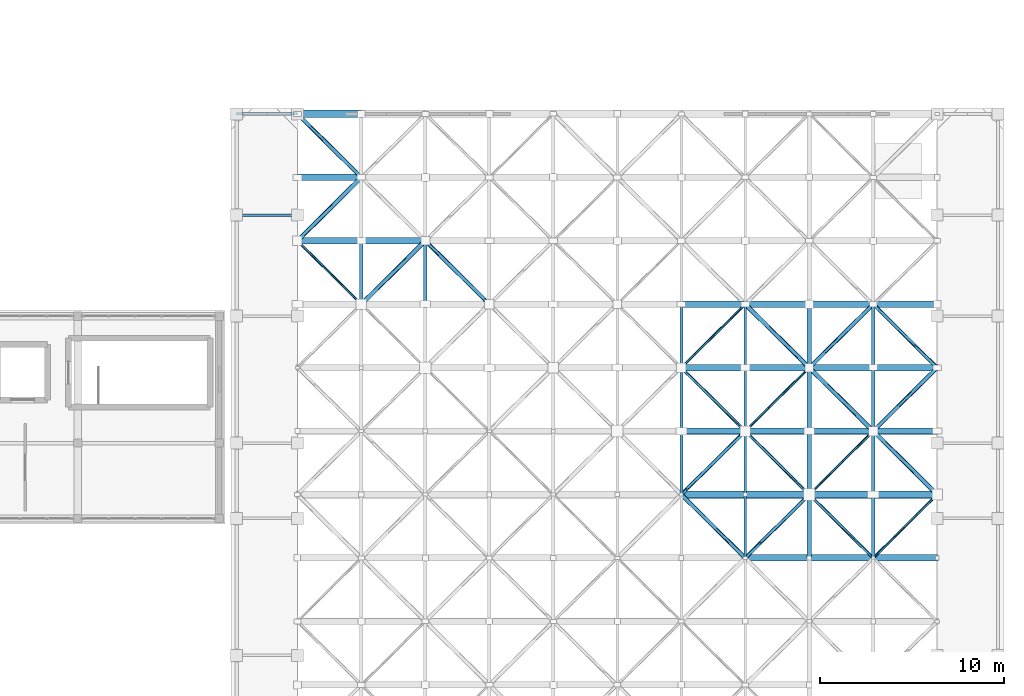
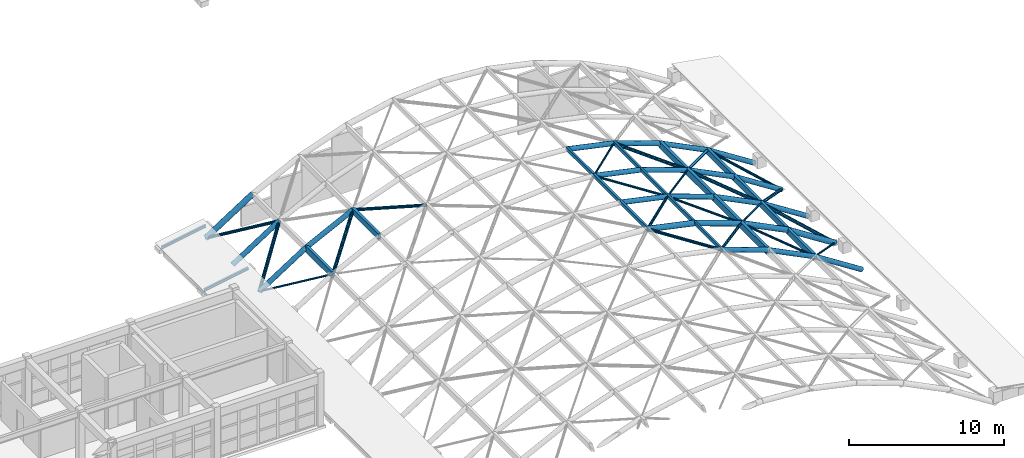
# One storey, part 23 of 52: 63 members.
"""IFC4 building model written with IfcOpenShell, lengths in metres."""

from ifc_helpers import new_model, si_unit, direction, frame, origin, origin_2d, place, context, subcontext, project, spatial, rectangle, hollow_circle, i_section, extrude, material, material_profile, profile_set, type_object, element, save


model = new_model("IFC4")

# Units and contexts
model_context = context("Model", 3, precision=1e-05, world=origin(), true_north=direction((0.0, 1.0)))
body_context = subcontext(model_context, "Body", "Model", "MODEL_VIEW")
ifc_project = project(units=[si_unit("LENGTHUNIT", "METRE"), si_unit("AREAUNIT", "SQUARE_METRE"), si_unit("VOLUMEUNIT", "CUBIC_METRE"), si_unit("PLANEANGLEUNIT", "RADIAN"), si_unit("MASSUNIT", "GRAM", prefix="KILO")], contexts=[model_context])

# Site, building, storey
site_placement = place(None, origin())
site = spatial("IfcSite", under=ifc_project, at=site_placement, CompositionType="ELEMENT")
building_placement = place(site_placement, origin())
building = spatial("IfcBuilding", under=site, at=building_placement, Name="Candilejo Ridge Gondola Terminal", CompositionType="ELEMENT")
storey_placement = place(building_placement, frame((0.0, 0.0, 18.60009765625)))
storey = spatial("IfcBuildingStorey", under=building, at=storey_placement, Name="L04", CompositionType="ELEMENT", Elevation=18.60009765625)

# Members
ifc_material_1 = material(Name="Steel ASTM A500 Grade C", Category="steel")
ifc_material_profile_1 = material_profile(ifc_material_1, hollow_circle(Radius=0.06982421875, WallThickness=0.00634765625, at=origin_2d()))
ifc_profile_set_1 = profile_set([ifc_material_profile_1], Name="Steel ASTM A500 Grade C")
member_type_1 = type_object("IfcMemberType", Name="STR-BRC-CHS140", PredefinedType="BRACE", material=ifc_profile_set_1)
member_1_placement = place(storey_placement, frame((168.52001953125, 23.550048828125, 2.031982421875), z_axis=(0.646271368564, 0.640694591636, -0.414540418323), x_axis=(-0.704036083414, 0.710164201612, 0.0)))
element("IfcMember", 1, at=member_1_placement, inside=storey, type_object=member_type_1, Name="Barrel diagrid diagonal 06-10", PredefinedType="BRACE", context=body_context, shape_type="SweptSolid", body=[
    extrude(hollow_circle(Radius=0.06982421875, WallThickness=0.00634765625, at=origin_2d()), origin(), (0.0, 0.0, 1.0), 5.384765625),
])
member_2_placement = place(storey_placement, frame((165.0400390625, 27.0, 3.767822265625), z_axis=(0.669405688246, 0.663629281647, -0.333904478983), x_axis=(-0.704036083414, 0.710164201612, 0.0)))
element("IfcMember", 2, at=member_2_placement, inside=storey, type_object=member_type_1, Name="Barrel diagrid diagonal 07-09", PredefinedType="BRACE", context=body_context, shape_type="SweptSolid", body=[
    extrude(hollow_circle(Radius=0.06982421875, WallThickness=0.00634765625, at=origin_2d()), origin(), (0.0, 0.0, 1.0), 5.19873046875),
])
member_3_placement = place(storey_placement, frame((161.56005859375, 30.449951171875, 5.0078125), z_axis=(0.688464148289, 0.682523283252, -0.24531425629), x_axis=(-0.704036083414, 0.710164201612, 0.0)))
element("IfcMember", 3, at=member_3_placement, inside=storey, type_object=member_type_1, Name="Barrel diagrid diagonal 08-08", PredefinedType="BRACE", context=body_context, shape_type="SweptSolid", body=[
    extrude(hollow_circle(Radius=0.06982421875, WallThickness=0.00634765625, at=origin_2d()), origin(), (0.0, 0.0, 1.0), 5.0546875),
])
member_4_placement = place(storey_placement, frame((158.080078125, 33.89990234375, 5.751953125), z_axis=(0.702090616131, 0.696081421858, -0.150131345445), x_axis=(-0.70406120903, 0.710139291927, 0.0)))
element("IfcMember", 4, at=member_4_placement, inside=storey, type_object=member_type_1, Name="Barrel diagrid diagonal 09-07", PredefinedType="BRACE", context=body_context, shape_type="SweptSolid", body=[
    extrude(hollow_circle(Radius=0.06982421875, WallThickness=0.00634765625, at=origin_2d()), origin(), (0.0, 0.0, 1.0), 4.95654296875),
])
member_5_placement = place(storey_placement, frame((140.679931640625, 37.35009765625, 2.031982421875), z_axis=(-0.646271368564, 0.640694591636, -0.414540418323), x_axis=(-0.704036083414, -0.710164201612, 0.0)))
element("IfcMember", 5, at=member_5_placement, inside=storey, type_object=member_type_1, Name="Barrel diagrid diagonal 10-01", PredefinedType="BRACE", context=body_context, shape_type="SweptSolid", body=[
    extrude(hollow_circle(Radius=0.06982421875, WallThickness=0.00634765625, at=origin_2d()), origin(), (0.0, 0.0, 1.0), 5.384765625),
])
ifc_material_2 = material(Name="Steel ASTM A500 Grade C", Category="steel")
ifc_material_profile_2 = material_profile(ifc_material_2, hollow_circle(Radius=0.084228515625, WallThickness=0.007080078125, at=origin_2d()))
ifc_profile_set_2 = profile_set([ifc_material_profile_2], Name="Steel ASTM A500 Grade C")
member_type_2 = type_object("IfcMemberType", Name="STR-BRC-CHS168", PredefinedType="BRACE", material=ifc_profile_set_2)
member_6_placement = place(storey_placement, frame((168.52001953125, 23.550048828125, 2.031982421875), z_axis=(-0.669405688246, 0.663629281647, 0.333904478983), x_axis=(-0.704036083414, -0.710164201612, 0.0)))
element("IfcMember", 6, at=member_6_placement, inside=storey, type_object=member_type_2, Name="Barrel diagrid diagonal 06-09", PredefinedType="BRACE", context=body_context, shape_type="SweptSolid", body=[
    extrude(hollow_circle(Radius=0.084228515625, WallThickness=0.007080078125, at=origin_2d()), origin(), (0.0, 0.0, 1.0), 5.19873046875),
])
member_7_placement = place(storey_placement, frame((165.0400390625, 27.0, 3.767822265625), z_axis=(-0.688464148289, 0.682523283252, 0.24531425629), x_axis=(-0.704036083414, -0.710164201612, 0.0)))
element("IfcMember", 7, at=member_7_placement, inside=storey, type_object=member_type_2, Name="Barrel diagrid diagonal 07-08", PredefinedType="BRACE", context=body_context, shape_type="SweptSolid", body=[
    extrude(hollow_circle(Radius=0.084228515625, WallThickness=0.007080078125, at=origin_2d()), origin(), (0.0, 0.0, 1.0), 5.0546875),
])
member_8_placement = place(storey_placement, frame((161.56005859375, 30.449951171875, 5.0078125), z_axis=(-0.702114688376, 0.696056030689, 0.150136492926), x_axis=(-0.704036083414, -0.710164201612, 0.0)))
element("IfcMember", 8, at=member_8_placement, inside=storey, type_object=member_type_2, Name="Barrel diagrid diagonal 08-07", PredefinedType="BRACE", context=body_context, shape_type="SweptSolid", body=[
    extrude(hollow_circle(Radius=0.084228515625, WallThickness=0.007080078125, at=origin_2d()), origin(), (0.0, 0.0, 1.0), 4.95654296875),
])
ifc_material_3 = material(Name="Steel ASTM A500 Grade C", Category="steel")
ifc_material_profile_3 = material_profile(ifc_material_3, hollow_circle(Radius=0.096923828125, WallThickness=0.0078125, at=origin_2d()))
ifc_profile_set_3 = profile_set([ifc_material_profile_3], Name="Steel ASTM A500 Grade C")
member_type_3 = type_object("IfcMemberType", Name="STR-BRC-CHS193", PredefinedType="BRACE", material=ifc_profile_set_3)
member_9_placement = place(storey_placement, frame((161.56005859375, 23.550048828125, 5.0078125), z_axis=(0.688464148289, 0.682523283252, -0.24531425629), x_axis=(-0.704036083414, 0.710164201612, 0.0)))
element("IfcMember", 9, at=member_9_placement, inside=storey, type_object=member_type_3, Name="Barrel diagrid diagonal 06-08", PredefinedType="BRACE", context=body_context, shape_type="SweptSolid", body=[
    extrude(hollow_circle(Radius=0.096923828125, WallThickness=0.0078125, at=origin_2d()), origin(), (0.0, 0.0, 1.0), 5.0546875),
])
member_10_placement = place(storey_placement, frame((158.080078125, 27.0, 5.751953125), z_axis=(0.702114688376, 0.696056030689, -0.150136492926), x_axis=(-0.704036083414, 0.710164201612, 0.0)))
element("IfcMember", 10, at=member_10_placement, inside=storey, type_object=member_type_3, Name="Barrel diagrid diagonal 07-07", PredefinedType="BRACE", context=body_context, shape_type="SweptSolid", body=[
    extrude(hollow_circle(Radius=0.096923828125, WallThickness=0.0078125, at=origin_2d()), origin(), (0.0, 0.0, 1.0), 4.95654296875),
])
member_11_placement = place(storey_placement, frame((172.0, 33.89990234375, -0.2001953125), z_axis=(-0.646252595266, 0.640721318668, 0.414528376492), x_axis=(-0.70406120903, -0.710139291927, 0.0)))
element("IfcMember", 11, at=member_11_placement, inside=storey, type_object=member_type_3, Name="Barrel diagrid diagonal 09-10", PredefinedType="BRACE", context=body_context, shape_type="SweptSolid", body=[
    extrude(hollow_circle(Radius=0.096923828125, WallThickness=0.0078125, at=origin_2d()), origin(), (0.0, 0.0, 1.0), 5.384765625),
])
ifc_material_4 = material(Name="Steel ASTM A500 Grade C", Category="steel")
ifc_material_profile_4 = material_profile(ifc_material_4, hollow_circle(Radius=0.109619140625, WallThickness=0.00830078125, at=origin_2d()))
ifc_profile_set_4 = profile_set([ifc_material_profile_4], Name="Steel ASTM A500 Grade C")
member_type_4 = type_object("IfcMemberType", Name="STR-BRC-CHS219", PredefinedType="BRACE", material=ifc_profile_set_4)
member_12_placement = place(storey_placement, frame((161.56005859375, 23.550048828125, 5.0078125), z_axis=(-0.702114688376, 0.696056030689, 0.150136492926), x_axis=(-0.704036083414, -0.710164201612, 0.0)))
element("IfcMember", 12, at=member_12_placement, inside=storey, type_object=member_type_4, Name="Barrel diagrid diagonal 06-07", PredefinedType="BRACE", context=body_context, shape_type="SweptSolid", body=[
    extrude(hollow_circle(Radius=0.109619140625, WallThickness=0.00830078125, at=origin_2d()), origin(), (0.0, 0.0, 1.0), 4.95654296875),
])
member_13_placement = place(storey_placement, frame((168.52001953125, 30.449951171875, 2.031982421875), z_axis=(0.646271368564, 0.640694591636, -0.414540418323), x_axis=(-0.704036083414, 0.710164201612, 0.0)))
element("IfcMember", 13, at=member_13_placement, inside=storey, type_object=member_type_4, Name="Barrel diagrid diagonal 08-10", PredefinedType="BRACE", context=body_context, shape_type="SweptSolid", body=[
    extrude(hollow_circle(Radius=0.109619140625, WallThickness=0.00830078125, at=origin_2d()), origin(), (0.0, 0.0, 1.0), 5.384765625),
])
member_14_placement = place(storey_placement, frame((165.0400390625, 33.89990234375, 3.767822265625), z_axis=(0.669384825923, 0.663655560541, -0.333894072704), x_axis=(-0.70406120903, 0.710139291927, 0.0)))
element("IfcMember", 14, at=member_14_placement, inside=storey, type_object=member_type_4, Name="Barrel diagrid diagonal 09-09", PredefinedType="BRACE", context=body_context, shape_type="SweptSolid", body=[
    extrude(hollow_circle(Radius=0.109619140625, WallThickness=0.00830078125, at=origin_2d()), origin(), (0.0, 0.0, 1.0), 5.19873046875),
])
member_15_placement = place(storey_placement, frame((147.639892578125, 37.35009765625, 5.0078125), z_axis=(-0.688464148289, 0.682523283252, -0.24531425629), x_axis=(-0.704036083414, -0.710164201612, 0.0)))
element("IfcMember", 15, at=member_15_placement, inside=storey, type_object=member_type_4, Name="Barrel diagrid diagonal 10-03", PredefinedType="BRACE", context=body_context, shape_type="SweptSolid", body=[
    extrude(hollow_circle(Radius=0.109619140625, WallThickness=0.00830078125, at=origin_2d()), origin(), (0.0, 0.0, 1.0), 5.0546875),
])
member_16_placement = place(storey_placement, frame((140.679931640625, 44.25, 2.031982421875), z_axis=(-0.646271368564, 0.640694591636, -0.414540418323), x_axis=(-0.704036083414, -0.710164201612, 0.0)))
element("IfcMember", 16, at=member_16_placement, inside=storey, type_object=member_type_4, Name="Barrel diagrid diagonal 12-01", PredefinedType="BRACE", context=body_context, shape_type="SweptSolid", body=[
    extrude(hollow_circle(Radius=0.109619140625, WallThickness=0.00830078125, at=origin_2d()), origin(), (0.0, 0.0, 1.0), 5.384765625),
])
ifc_material_5 = material(Name="Steel ASTM A500 Grade C", Category="steel")
ifc_material_profile_5 = material_profile(ifc_material_5, hollow_circle(Radius=0.122314453125, WallThickness=0.0087890625, at=origin_2d()))
ifc_profile_set_5 = profile_set([ifc_material_profile_5], Name="Steel ASTM A500 Grade C")
member_type_5 = type_object("IfcMemberType", Name="STR-BRC-CHS244", PredefinedType="BRACE", material=ifc_profile_set_5)
member_17_placement = place(storey_placement, frame((172.0, 27.0, -0.2001953125), z_axis=(-0.646271368564, 0.640694591636, 0.414540418323), x_axis=(-0.704036083414, -0.710164201612, 0.0)))
element("IfcMember", 17, at=member_17_placement, inside=storey, type_object=member_type_5, Name="Barrel diagrid diagonal 07-10", PredefinedType="BRACE", context=body_context, shape_type="SweptSolid", body=[
    extrude(hollow_circle(Radius=0.122314453125, WallThickness=0.0087890625, at=origin_2d()), origin(), (0.0, 0.0, 1.0), 5.384765625),
])
member_18_placement = place(storey_placement, frame((168.52001953125, 30.449951171875, 2.031982421875), z_axis=(-0.669405688246, 0.663629281647, 0.333904478983), x_axis=(-0.704036083414, -0.710164201612, 0.0)))
element("IfcMember", 18, at=member_18_placement, inside=storey, type_object=member_type_5, Name="Barrel diagrid diagonal 08-09", PredefinedType="BRACE", context=body_context, shape_type="SweptSolid", body=[
    extrude(hollow_circle(Radius=0.122314453125, WallThickness=0.0087890625, at=origin_2d()), origin(), (0.0, 0.0, 1.0), 5.19873046875),
])
member_19_placement = place(storey_placement, frame((165.0400390625, 33.89990234375, 3.767822265625), z_axis=(-0.688441452919, 0.682549081848, 0.245306169453), x_axis=(-0.70406120903, -0.710139291927, 0.0)))
element("IfcMember", 19, at=member_19_placement, inside=storey, type_object=member_type_5, Name="Barrel diagrid diagonal 09-08", PredefinedType="BRACE", context=body_context, shape_type="SweptSolid", body=[
    extrude(hollow_circle(Radius=0.122314453125, WallThickness=0.0087890625, at=origin_2d()), origin(), (0.0, 0.0, 1.0), 5.054931640625),
])
member_20_placement = place(storey_placement, frame((140.679931640625, 37.35009765625, 2.031982421875), z_axis=(0.669405688246, 0.663629281647, 0.333904478983), x_axis=(-0.704036083414, 0.710164201612, 0.0)))
element("IfcMember", 20, at=member_20_placement, inside=storey, type_object=member_type_5, Name="Barrel diagrid diagonal 10-02", PredefinedType="BRACE", context=body_context, shape_type="SweptSolid", body=[
    extrude(hollow_circle(Radius=0.122314453125, WallThickness=0.0087890625, at=origin_2d()), origin(), (0.0, 0.0, 1.0), 5.19873046875),
])
member_21_placement = place(storey_placement, frame((137.199951171875, 40.800048828125, -0.2001953125), z_axis=(0.646271368564, 0.640694591636, 0.414540418323), x_axis=(-0.704036083414, 0.710164201612, 0.0)))
element("IfcMember", 21, at=member_21_placement, inside=storey, type_object=member_type_5, Name="Barrel diagrid diagonal 11-01", PredefinedType="BRACE", context=body_context, shape_type="SweptSolid", body=[
    extrude(hollow_circle(Radius=0.122314453125, WallThickness=0.0087890625, at=origin_2d()), origin(), (0.0, 0.0, 1.0), 5.384765625),
])
ifc_material_6 = material(Name="Glulam GL28h", Category="wood")
ifc_material_profile_6 = material_profile(ifc_material_6, rectangle(XDim=0.139892578125, YDim=0.280029296875, at=origin_2d()))
ifc_profile_set_6 = profile_set([ifc_material_profile_6], Name="Glulam GL28h")
member_type_6 = type_object("IfcMemberType", Name="STR-PUR-GL140X280", PredefinedType="PURLIN", material=ifc_profile_set_6)
for number, where, z_axis, x_axis, name in (
    (22, (161.56005859375, 23.550048828125, 5.06787109375), (0.0, 1.0, 0.0), (-1.0, 0.0, 0.0), "Glulam roof purlin 06-07"),
    (23, (161.56005859375, 27.0, 5.06787109375), (0.0, 1.0, 0.0), (-1.0, 0.0, 0.0), "Glulam roof purlin 07-07"),
    (24, (161.56005859375, 30.449951171875, 5.06787109375), (0.0, 1.0, 0.0), (-1.0, 0.0, 0.0), "Glulam roof purlin 08-07"),
):
    element("IfcMember", number, at=place(storey_placement, frame(where, z_axis=z_axis, x_axis=x_axis)), inside=storey, type_object=member_type_6, Name=name, PredefinedType="PURLIN", context=body_context, shape_type="SweptSolid", body=[
        extrude(rectangle(XDim=0.139892578125, YDim=0.280029296875, at=origin_2d()), origin(), (0.0, 0.0, 1.0), 3.449951171875),
    ])
member_22_placement = place(storey_placement, frame((161.56005859375, 33.89990234375, 5.06787109375), z_axis=(0.0, 1.0, 0.0), x_axis=(-1.0, 0.0, 0.0)))
element("IfcMember", 25, at=member_22_placement, inside=storey, type_object=member_type_6, Name="Glulam roof purlin 09-07", PredefinedType="PURLIN", context=body_context, shape_type="SweptSolid", body=[
    extrude(rectangle(XDim=0.139892578125, YDim=0.280029296875, at=origin_2d()), origin(), (0.0, 0.0, 1.0), 3.4501953125),
])
ifc_material_7 = material(Name="Glulam GL28h", Category="wood")
ifc_material_profile_7 = material_profile(ifc_material_7, rectangle(XDim=0.159912109375, YDim=0.280029296875, at=origin_2d()))
ifc_profile_set_7 = profile_set([ifc_material_profile_7], Name="Glulam GL28h")
member_type_7 = type_object("IfcMemberType", Name="STR-PUR-GL160X280", PredefinedType="PURLIN", material=ifc_profile_set_7)
for number, where, z_axis, x_axis, name in (
    (26, (158.080078125, 27.0, 5.81201171875), (0.0, 1.0, 0.0), (-1.0, 0.0, 0.0), "Glulam roof purlin 07-06"),
    (27, (158.080078125, 30.449951171875, 5.81201171875), (0.0, 1.0, 0.0), (-1.0, 0.0, 0.0), "Glulam roof purlin 08-06"),
):
    element("IfcMember", number, at=place(storey_placement, frame(where, z_axis=z_axis, x_axis=x_axis)), inside=storey, type_object=member_type_7, Name=name, PredefinedType="PURLIN", context=body_context, shape_type="SweptSolid", body=[
        extrude(rectangle(XDim=0.159912109375, YDim=0.280029296875, at=origin_2d()), origin(), (0.0, 0.0, 1.0), 3.449951171875),
    ])
member_23_placement = place(storey_placement, frame((158.080078125, 33.89990234375, 5.81201171875), z_axis=(0.0, 1.0, 0.0), x_axis=(-1.0, 0.0, 0.0)))
element("IfcMember", 28, at=member_23_placement, inside=storey, type_object=member_type_7, Name="Glulam roof purlin 09-06", PredefinedType="PURLIN", context=body_context, shape_type="SweptSolid", body=[
    extrude(rectangle(XDim=0.159912109375, YDim=0.280029296875, at=origin_2d()), origin(), (0.0, 0.0, 1.0), 3.4501953125),
])
ifc_material_8 = material(Name="Glulam GL28h", Category="wood")
ifc_material_profile_8 = material_profile(ifc_material_8, rectangle(XDim=0.199951171875, YDim=0.43994140625, at=origin_2d()))
ifc_profile_set_8 = profile_set([ifc_material_profile_8], Name="Glulam GL28h")
member_type_8 = type_object("IfcMemberType", Name="STR-PUR-GL200X440", PredefinedType="PURLIN", material=ifc_profile_set_8)
member_24_placement = place(storey_placement, frame((144.159912109375, 37.35009765625, 3.747802734375), z_axis=(0.0, 1.0, 0.0), x_axis=(-1.0, 0.0, 0.0)))
element("IfcMember", 29, at=member_24_placement, inside=storey, type_object=member_type_8, Name="Glulam roof purlin 10-02", PredefinedType="PURLIN", context=body_context, shape_type="SweptSolid", body=[
    extrude(rectangle(XDim=0.199951171875, YDim=0.43994140625, at=origin_2d()), origin(), (0.0, 0.0, 1.0), 3.449951171875),
])
ifc_material_9 = material(Name="Glulam GL28h", Category="wood")
ifc_material_profile_9 = material_profile(ifc_material_9, rectangle(XDim=0.199951171875, YDim=0.47998046875, at=origin_2d()))
ifc_profile_set_9 = profile_set([ifc_material_profile_9], Name="Glulam GL28h")
member_type_9 = type_object("IfcMemberType", Name="STR-PUR-GL200X480", PredefinedType="PURLIN", material=ifc_profile_set_9)
for number, where, z_axis, x_axis, name in (
    (30, (168.52001953125, 23.550048828125, 1.991943359375), (0.0, 1.0, 0.0), (-1.0, 0.0, 0.0), "Glulam roof purlin 06-09"),
    (31, (168.52001953125, 27.0, 1.991943359375), (0.0, 1.0, 0.0), (-1.0, 0.0, 0.0), "Glulam roof purlin 07-09"),
    (32, (168.52001953125, 30.449951171875, 1.991943359375), (0.0, 1.0, 0.0), (-1.0, 0.0, 0.0), "Glulam roof purlin 08-09"),
):
    element("IfcMember", number, at=place(storey_placement, frame(where, z_axis=z_axis, x_axis=x_axis)), inside=storey, type_object=member_type_9, Name=name, PredefinedType="PURLIN", context=body_context, shape_type="SweptSolid", body=[
        extrude(rectangle(XDim=0.199951171875, YDim=0.47998046875, at=origin_2d()), origin(), (0.0, 0.0, 1.0), 3.449951171875),
    ])
member_25_placement = place(storey_placement, frame((168.52001953125, 33.89990234375, 1.991943359375), z_axis=(0.0, 1.0, 0.0), x_axis=(-1.0, 0.0, 0.0)))
element("IfcMember", 33, at=member_25_placement, inside=storey, type_object=member_type_9, Name="Glulam roof purlin 09-09", PredefinedType="PURLIN", context=body_context, shape_type="SweptSolid", body=[
    extrude(rectangle(XDim=0.199951171875, YDim=0.47998046875, at=origin_2d()), origin(), (0.0, 0.0, 1.0), 3.4501953125),
])
member_26_placement = place(storey_placement, frame((140.679931640625, 37.35009765625, 1.991943359375), z_axis=(0.0, 1.0, 0.0), x_axis=(-1.0, 0.0, 0.0)))
element("IfcMember", 34, at=member_26_placement, inside=storey, type_object=member_type_9, Name="Glulam roof purlin 10-01", PredefinedType="PURLIN", context=body_context, shape_type="SweptSolid", body=[
    extrude(rectangle(XDim=0.199951171875, YDim=0.47998046875, at=origin_2d()), origin(), (0.0, 0.0, 1.0), 3.449951171875),
])
ifc_material_10 = material(Name="Glulam GL28h", Category="wood")
ifc_material_profile_10 = material_profile(ifc_material_10, rectangle(XDim=0.219970703125, YDim=0.52001953125, at=origin_2d()))
ifc_profile_set_10 = profile_set([ifc_material_profile_10], Name="Glulam GL28h")
member_type_10 = type_object("IfcMemberType", Name="STR-PUR-GL220X520", PredefinedType="PURLIN", material=ifc_profile_set_10)
for number, where, z_axis, x_axis, name in (
    (35, (165.0400390625, 23.550048828125, 3.7080078125), (0.0, 1.0, 0.0), (-1.0, 0.0, 0.0), "Glulam roof purlin 06-08"),
    (36, (165.0400390625, 27.0, 3.7080078125), (0.0, 1.0, 0.0), (-1.0, 0.0, 0.0), "Glulam roof purlin 07-08"),
    (37, (165.0400390625, 30.449951171875, 3.7080078125), (0.0, 1.0, 0.0), (-1.0, 0.0, 0.0), "Glulam roof purlin 08-08"),
):
    element("IfcMember", number, at=place(storey_placement, frame(where, z_axis=z_axis, x_axis=x_axis)), inside=storey, type_object=member_type_10, Name=name, PredefinedType="PURLIN", context=body_context, shape_type="SweptSolid", body=[
        extrude(rectangle(XDim=0.219970703125, YDim=0.52001953125, at=origin_2d()), origin(), (0.0, 0.0, 1.0), 3.449951171875),
    ])
member_27_placement = place(storey_placement, frame((165.0400390625, 33.89990234375, 3.7080078125), z_axis=(0.0, 1.0, 0.0), x_axis=(-1.0, 0.0, 0.0)))
element("IfcMember", 38, at=member_27_placement, inside=storey, type_object=member_type_10, Name="Glulam roof purlin 09-08", PredefinedType="PURLIN", context=body_context, shape_type="SweptSolid", body=[
    extrude(rectangle(XDim=0.219970703125, YDim=0.52001953125, at=origin_2d()), origin(), (0.0, 0.0, 1.0), 3.4501953125),
])
ifc_material_11 = material(Name="Steel ASTM A500 Grade C", Category="steel")
ifc_material_profile_11 = material_profile(ifc_material_11, hollow_circle(Radius=0.177734375, WallThickness=0.0126953125, at=origin_2d()))
ifc_profile_set_11 = profile_set([ifc_material_profile_11], Name="Steel ASTM A500 Grade C")
member_type_11 = type_object("IfcMemberType", Name="STR-RAF-CHS356", PredefinedType="RAFTER", material=ifc_profile_set_11)
member_28_placement = place(storey_placement, frame((161.56005859375, 23.550048828125, 5.0078125), z_axis=(0.94198686652, 0.0, -0.335649733061), x_axis=(0.0, 1.0, 0.0)))
element("IfcMember", 39, at=member_28_placement, inside=storey, type_object=member_type_11, Name="Barrel diagrid arch rafter F06-08", PredefinedType="RAFTER", context=body_context, shape_type="SweptSolid", body=[
    extrude(hollow_circle(Radius=0.177734375, WallThickness=0.0126953125, at=origin_2d()), origin(), (0.0, 0.0, 1.0), 3.6943359375),
])
member_29_placement = place(storey_placement, frame((165.0400390625, 23.550048828125, 3.767822265625), z_axis=(0.894853681561, 0.0, -0.446359595615), x_axis=(0.0, 1.0, 0.0)))
element("IfcMember", 40, at=member_29_placement, inside=storey, type_object=member_type_11, Name="Barrel diagrid arch rafter F06-09", PredefinedType="RAFTER", context=body_context, shape_type="SweptSolid", body=[
    extrude(hollow_circle(Radius=0.177734375, WallThickness=0.0126953125, at=origin_2d()), origin(), (0.0, 0.0, 1.0), 3.888916015625),
])
member_30_placement = place(storey_placement, frame((168.52001953125, 23.550048828125, 2.031982421875), z_axis=(0.841722944164, 0.0, -0.539909701031), x_axis=(0.0, 1.0, 0.0)))
element("IfcMember", 41, at=member_30_placement, inside=storey, type_object=member_type_11, Name="Barrel diagrid arch rafter F06-10", PredefinedType="RAFTER", context=body_context, shape_type="SweptSolid", body=[
    extrude(hollow_circle(Radius=0.177734375, WallThickness=0.0126953125, at=origin_2d()), origin(), (0.0, 0.0, 1.0), 4.13427734375),
])
member_31_placement = place(storey_placement, frame((158.080078125, 30.449951171875, 5.751953125), z_axis=(0.977892680686, 0.0, -0.209107400781), x_axis=(0.0, 1.0, 0.0)))
element("IfcMember", 42, at=member_31_placement, inside=storey, type_object=member_type_11, Name="Barrel diagrid arch rafter F08-07", PredefinedType="RAFTER", context=body_context, shape_type="SweptSolid", body=[
    extrude(hollow_circle(Radius=0.177734375, WallThickness=0.0126953125, at=origin_2d()), origin(), (0.0, 0.0, 1.0), 3.55859375),
])
member_32_placement = place(storey_placement, frame((161.56005859375, 30.449951171875, 5.0078125), z_axis=(0.94198686652, 0.0, -0.335649733061), x_axis=(0.0, 1.0, 0.0)))
element("IfcMember", 43, at=member_32_placement, inside=storey, type_object=member_type_11, Name="Barrel diagrid arch rafter F08-08", PredefinedType="RAFTER", context=body_context, shape_type="SweptSolid", body=[
    extrude(hollow_circle(Radius=0.177734375, WallThickness=0.0126953125, at=origin_2d()), origin(), (0.0, 0.0, 1.0), 3.6943359375),
])
member_33_placement = place(storey_placement, frame((165.0400390625, 30.449951171875, 3.767822265625), z_axis=(0.894853681561, 0.0, -0.446359595615), x_axis=(0.0, 1.0, 0.0)))
element("IfcMember", 44, at=member_33_placement, inside=storey, type_object=member_type_11, Name="Barrel diagrid arch rafter F08-09", PredefinedType="RAFTER", context=body_context, shape_type="SweptSolid", body=[
    extrude(hollow_circle(Radius=0.177734375, WallThickness=0.0126953125, at=origin_2d()), origin(), (0.0, 0.0, 1.0), 3.888916015625),
])
member_34_placement = place(storey_placement, frame((168.52001953125, 30.449951171875, 2.031982421875), z_axis=(0.841722944164, 0.0, -0.539909701031), x_axis=(0.0, 1.0, 0.0)))
element("IfcMember", 45, at=member_34_placement, inside=storey, type_object=member_type_11, Name="Barrel diagrid arch rafter F08-10", PredefinedType="RAFTER", context=body_context, shape_type="SweptSolid", body=[
    extrude(hollow_circle(Radius=0.177734375, WallThickness=0.0126953125, at=origin_2d()), origin(), (0.0, 0.0, 1.0), 4.13427734375),
])
member_35_placement = place(storey_placement, frame((158.080078125, 33.89990234375, 5.751953125), z_axis=(0.977892680686, 0.0, -0.209107400781), x_axis=(0.0, 1.0, 0.0)))
element("IfcMember", 46, at=member_35_placement, inside=storey, type_object=member_type_11, Name="Barrel diagrid arch rafter F09-07", PredefinedType="RAFTER", context=body_context, shape_type="SweptSolid", body=[
    extrude(hollow_circle(Radius=0.177734375, WallThickness=0.0126953125, at=origin_2d()), origin(), (0.0, 0.0, 1.0), 3.55859375),
])
member_36_placement = place(storey_placement, frame((161.56005859375, 33.89990234375, 5.0078125), z_axis=(0.94198686652, 0.0, -0.335649733061), x_axis=(0.0, 1.0, 0.0)))
element("IfcMember", 47, at=member_36_placement, inside=storey, type_object=member_type_11, Name="Barrel diagrid arch rafter F09-08", PredefinedType="RAFTER", context=body_context, shape_type="SweptSolid", body=[
    extrude(hollow_circle(Radius=0.177734375, WallThickness=0.0126953125, at=origin_2d()), origin(), (0.0, 0.0, 1.0), 3.6943359375),
])
member_37_placement = place(storey_placement, frame((165.0400390625, 33.89990234375, 3.767822265625), z_axis=(0.894853681561, 0.0, -0.446359595615), x_axis=(0.0, 1.0, 0.0)))
element("IfcMember", 48, at=member_37_placement, inside=storey, type_object=member_type_11, Name="Barrel diagrid arch rafter F09-09", PredefinedType="RAFTER", context=body_context, shape_type="SweptSolid", body=[
    extrude(hollow_circle(Radius=0.177734375, WallThickness=0.0126953125, at=origin_2d()), origin(), (0.0, 0.0, 1.0), 3.888916015625),
])
member_38_placement = place(storey_placement, frame((168.52001953125, 33.89990234375, 2.031982421875), z_axis=(0.841722944164, 0.0, -0.539909701031), x_axis=(0.0, 1.0, 0.0)))
element("IfcMember", 49, at=member_38_placement, inside=storey, type_object=member_type_11, Name="Barrel diagrid arch rafter F09-10", PredefinedType="RAFTER", context=body_context, shape_type="SweptSolid", body=[
    extrude(hollow_circle(Radius=0.177734375, WallThickness=0.0126953125, at=origin_2d()), origin(), (0.0, 0.0, 1.0), 4.13427734375),
])
member_39_placement = place(storey_placement, frame((158.080078125, 37.35009765625, 5.751953125), z_axis=(0.977892680686, 0.0, -0.209107400781), x_axis=(0.0, 1.0, 0.0)))
element("IfcMember", 50, at=member_39_placement, inside=storey, type_object=member_type_11, Name="Barrel diagrid arch rafter F10-07", PredefinedType="RAFTER", context=body_context, shape_type="SweptSolid", body=[
    extrude(hollow_circle(Radius=0.177734375, WallThickness=0.0126953125, at=origin_2d()), origin(), (0.0, 0.0, 1.0), 3.55859375),
])
member_40_placement = place(storey_placement, frame((161.56005859375, 37.35009765625, 5.0078125), z_axis=(0.94198686652, 0.0, -0.335649733061), x_axis=(0.0, 1.0, 0.0)))
element("IfcMember", 51, at=member_40_placement, inside=storey, type_object=member_type_11, Name="Barrel diagrid arch rafter F10-08", PredefinedType="RAFTER", context=body_context, shape_type="SweptSolid", body=[
    extrude(hollow_circle(Radius=0.177734375, WallThickness=0.0126953125, at=origin_2d()), origin(), (0.0, 0.0, 1.0), 3.6943359375),
])
member_41_placement = place(storey_placement, frame((165.0400390625, 37.35009765625, 3.767822265625), z_axis=(0.894853681561, 0.0, -0.446359595615), x_axis=(0.0, 1.0, 0.0)))
element("IfcMember", 52, at=member_41_placement, inside=storey, type_object=member_type_11, Name="Barrel diagrid arch rafter F10-09", PredefinedType="RAFTER", context=body_context, shape_type="SweptSolid", body=[
    extrude(hollow_circle(Radius=0.177734375, WallThickness=0.0126953125, at=origin_2d()), origin(), (0.0, 0.0, 1.0), 3.888916015625),
])
for number, where, z_axis, x_axis, name in (
    (53, (168.52001953125, 37.35009765625, 2.031982421875), (0.841722944164, 0.0, -0.539909701031), (0.0, 1.0, 0.0), "Barrel diagrid arch rafter F10-10"),
    (54, (137.199951171875, 40.800048828125, -0.2001953125), (0.841722944164, 0.0, 0.539909701031), (0.0, 1.0, 0.0), "Barrel diagrid arch rafter F11-01"),
):
    element("IfcMember", number, at=place(storey_placement, frame(where, z_axis=z_axis, x_axis=x_axis)), inside=storey, type_object=member_type_11, Name=name, PredefinedType="RAFTER", context=body_context, shape_type="SweptSolid", body=[
        extrude(hollow_circle(Radius=0.177734375, WallThickness=0.0126953125, at=origin_2d()), origin(), (0.0, 0.0, 1.0), 4.13427734375),
    ])
member_42_placement = place(storey_placement, frame((140.679931640625, 40.800048828125, 2.031982421875), z_axis=(0.894853681561, 0.0, 0.446359595615), x_axis=(0.0, 1.0, 0.0)))
element("IfcMember", 55, at=member_42_placement, inside=storey, type_object=member_type_11, Name="Barrel diagrid arch rafter F11-02", PredefinedType="RAFTER", context=body_context, shape_type="SweptSolid", body=[
    extrude(hollow_circle(Radius=0.177734375, WallThickness=0.0126953125, at=origin_2d()), origin(), (0.0, 0.0, 1.0), 3.888916015625),
])
member_43_placement = place(storey_placement, frame((137.199951171875, 44.25, -0.2001953125), z_axis=(0.841722944164, 0.0, 0.539909701031), x_axis=(0.0, 1.0, 0.0)))
element("IfcMember", 56, at=member_43_placement, inside=storey, type_object=member_type_11, Name="Barrel diagrid arch rafter F12-01", PredefinedType="RAFTER", context=body_context, shape_type="SweptSolid", body=[
    extrude(hollow_circle(Radius=0.177734375, WallThickness=0.0126953125, at=origin_2d()), origin(), (0.0, 0.0, 1.0), 4.13427734375),
])
ifc_material_12 = material(Name="Steel ASTM A500 Grade C", Category="steel")
ifc_material_profile_12 = material_profile(ifc_material_12, hollow_circle(Radius=0.203125, WallThickness=0.0126953125, at=origin_2d()))
ifc_profile_set_12 = profile_set([ifc_material_profile_12], Name="Steel ASTM A500 Grade C")
member_type_12 = type_object("IfcMemberType", Name="STR-RAF-CHS406", PredefinedType="RAFTER", material=ifc_profile_set_12)
member_44_placement = place(storey_placement, frame((158.080078125, 27.0, 5.751953125), z_axis=(0.977892680686, 0.0, -0.209107400781), x_axis=(0.0, 1.0, 0.0)))
element("IfcMember", 57, at=member_44_placement, inside=storey, type_object=member_type_12, Name="Barrel diagrid arch rafter F07-07", PredefinedType="RAFTER", context=body_context, shape_type="SweptSolid", body=[
    extrude(hollow_circle(Radius=0.203125, WallThickness=0.0126953125, at=origin_2d()), origin(), (0.0, 0.0, 1.0), 3.55859375),
])
member_45_placement = place(storey_placement, frame((161.56005859375, 27.0, 5.0078125), z_axis=(0.94198686652, 0.0, -0.335649733061), x_axis=(0.0, 1.0, 0.0)))
element("IfcMember", 58, at=member_45_placement, inside=storey, type_object=member_type_12, Name="Barrel diagrid arch rafter F07-08", PredefinedType="RAFTER", context=body_context, shape_type="SweptSolid", body=[
    extrude(hollow_circle(Radius=0.203125, WallThickness=0.0126953125, at=origin_2d()), origin(), (0.0, 0.0, 1.0), 3.6943359375),
])
member_46_placement = place(storey_placement, frame((165.0400390625, 27.0, 3.767822265625), z_axis=(0.894853681561, 0.0, -0.446359595615), x_axis=(0.0, 1.0, 0.0)))
element("IfcMember", 59, at=member_46_placement, inside=storey, type_object=member_type_12, Name="Barrel diagrid arch rafter F07-09", PredefinedType="RAFTER", context=body_context, shape_type="SweptSolid", body=[
    extrude(hollow_circle(Radius=0.203125, WallThickness=0.0126953125, at=origin_2d()), origin(), (0.0, 0.0, 1.0), 3.888916015625),
])
for number, where, z_axis, x_axis, name in (
    (60, (168.52001953125, 27.0, 2.031982421875), (0.841722944164, 0.0, -0.539909701031), (0.0, 1.0, 0.0), "Barrel diagrid arch rafter F07-10"),
    (61, (137.199951171875, 47.699951171875, -0.2001953125), (0.841722944164, 0.0, 0.539909701031), (0.0, 1.0, 0.0), "Barrel diagrid arch rafter F13-01"),
):
    element("IfcMember", number, at=place(storey_placement, frame(where, z_axis=z_axis, x_axis=x_axis)), inside=storey, type_object=member_type_12, Name=name, PredefinedType="RAFTER", context=body_context, shape_type="SweptSolid", body=[
        extrude(hollow_circle(Radius=0.203125, WallThickness=0.0126953125, at=origin_2d()), origin(), (0.0, 0.0, 1.0), 4.13427734375),
    ])
ifc_material_13 = material(Name="Steel ASTM A992 Grade 50", Category="steel")
ifc_material_profile_13 = material_profile(ifc_material_13, i_section(OverallWidth=0.133056640625, OverallDepth=0.20703125, WebThickness=0.005859375, FlangeThickness=0.00830078125, at=origin_2d()))
ifc_profile_set_13 = profile_set([ifc_material_profile_13], Name="Steel ASTM A992 Grade 50")
member_type_13 = type_object("IfcMemberType", Name="STR-RAF-W200", PredefinedType="RAFTER", material=ifc_profile_set_13)
for number, where, z_axis, x_axis, name in (
    (62, (133.89990234375, 42.199951171875, 0.201416015625), (0.984800423621, 0.0, 0.173689739581), (0.0, 1.0, 0.0), "Shed roof rafter RF-V4-WEST-07"),
    (63, (133.89990234375, 47.699951171875, 0.201416015625), (0.984800423621, 0.0, 0.173689739581), (0.0, 1.0, 0.0), "Shed roof rafter RF-V4-WEST-08"),
):
    element("IfcMember", number, at=place(storey_placement, frame(where, z_axis=z_axis, x_axis=x_axis)), inside=storey, type_object=member_type_13, Name=name, PredefinedType="RAFTER", context=body_context, shape_type="SweptSolid", body=[
        extrude(i_section(OverallWidth=0.133056640625, OverallDepth=0.20703125, WebThickness=0.005859375, FlangeThickness=0.00830078125, at=origin_2d()), origin(), (0.0, 0.0, 1.0), 3.35107421875),
    ])

save(model, "model.ifc")
